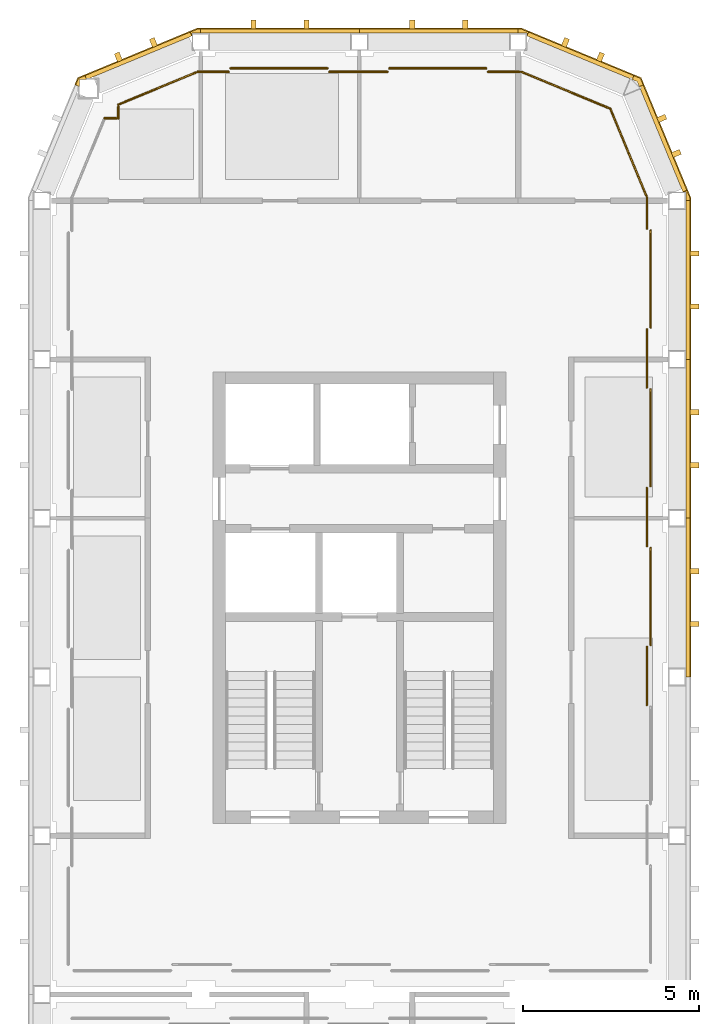
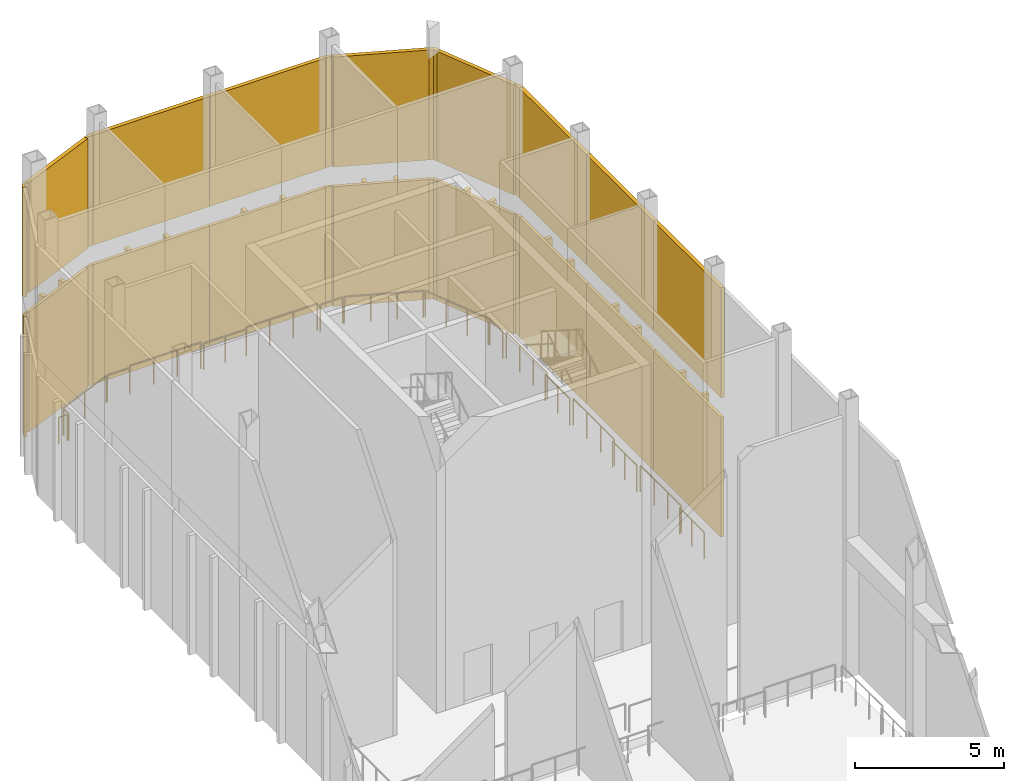
# One storey, part 7 of 8: 42 shading devices, 17 railings.
"""IFC4 building model written with IfcOpenShell, lengths in metres."""

from ifc_helpers import new_model, si_unit, direction, frame, origin, origin_2d, place, context, subcontext, project, spatial, polyline, rectangle, circle, outline, extrude, material, type_object, element, save


model = new_model("IFC4")

# Units and contexts
model_context = context("Model", 3, precision=1e-05, world=origin(), true_north=direction((0.0, 1.0)))
body_context = subcontext(model_context, "Body", "Model", "MODEL_VIEW")
ifc_project = project(units=[si_unit("LENGTHUNIT", "METRE"), si_unit("AREAUNIT", "SQUARE_METRE"), si_unit("VOLUMEUNIT", "CUBIC_METRE"), si_unit("PLANEANGLEUNIT", "RADIAN"), si_unit("MASSUNIT", "GRAM", prefix="KILO")], contexts=[model_context])

# Site, building, storey
site_placement = place(None, origin())
site = spatial("IfcSite", under=ifc_project, at=site_placement, CompositionType="ELEMENT")
building_placement = place(site_placement, origin())
building = spatial("IfcBuilding", under=site, at=building_placement, Name="Girih Gate Residences", CompositionType="ELEMENT")
storey_placement = place(building_placement, frame((0.0, 0.0, 235.695068359375)))
storey = spatial("IfcBuildingStorey", under=building, at=storey_placement, Name="L66", CompositionType="ELEMENT", Elevation=235.695068359375)

# Railings
ifc_material_1 = material(Name="Stainless steel railing", Category="steel")
railing_type = type_object("IfcRailingType", Name="Crown deck guard 1100", PredefinedType="GUARDRAIL", material=ifc_material_1)
railing_1_placement = place(storey_placement, frame((1.777587890625, 47.33203125, 0.0)))
element("IfcRailing", 1, at=railing_1_placement, inside=storey, type_object=railing_type, Name="Crown deck guard L66 2.1.12", PredefinedType="GUARDRAIL", context=body_context, shape_type="SweptSolid", body=[
    extrude(circle(Radius=0.02490234375, at=origin_2d()), frame((0.0, 0.0, 1.0751953125), z_axis=(1.0, 0.0, 0.0), x_axis=(0.0, 1.0, 0.0)), (0.0, 0.0, 1.0), 0.330322265625),
    extrude(circle(Radius=0.02490234375, at=origin_2d()), origin(), (0.0, 0.0, 1.0), 1.050048828125),
    extrude(circle(Radius=0.02490234375, at=origin_2d()), frame((0.330322265625, 0.0, 0.0)), (0.0, 0.0, 1.0), 1.050048828125),
])
railing_2_placement = place(storey_placement, frame((2.16796875, 47.33203125, 0.0)))
element("IfcRailing", 2, at=railing_2_placement, inside=storey, type_object=railing_type, Name="Crown deck guard L66 2.1.13", PredefinedType="GUARDRAIL", context=body_context, shape_type="SweptSolid", body=[
    extrude(circle(Radius=0.02490234375, at=origin_2d()), frame((0.0, 0.0, 1.0751953125), z_axis=(0.0, 1.0, 0.0), x_axis=(-1.0, 0.0, 0.0)), (0.0, 0.0, 1.0), 0.330322265625),
    extrude(circle(Radius=0.02490234375, at=origin_2d()), origin(), (0.0, 0.0, 1.0), 1.050048828125),
    extrude(circle(Radius=0.02490234375, at=origin_2d()), frame((0.0, 0.330322265625, 0.0)), (0.0, 0.0, 1.0), 1.050048828125),
])
railing_3_placement = place(storey_placement, frame((2.16796875, 47.722412109375, 0.0)))
element("IfcRailing", 3, at=railing_3_placement, inside=storey, type_object=railing_type, Name="Crown deck guard L66 2.1.14", PredefinedType="GUARDRAIL", context=body_context, shape_type="SweptSolid", body=[
    extrude(circle(Radius=0.02490234375, at=origin_2d()), frame((0.0, 0.0, 1.0751953125), z_axis=(0.923914897169, 0.382598043368, 0.0), x_axis=(-0.382598043368, 0.923914897169, 0.0)), (0.0, 0.0, 1.0), 2.3642578125),
    extrude(circle(Radius=0.02490234375, at=origin_2d()), origin(), (0.0, 0.0, 1.0), 1.050048828125),
    extrude(circle(Radius=0.02490234375, at=origin_2d()), frame((1.09228515625, 0.4521484375, 0.0)), (0.0, 0.0, 1.0), 1.050048828125),
    extrude(circle(Radius=0.02490234375, at=origin_2d()), frame((2.184326171875, 0.904541015625, 0.0)), (0.0, 0.0, 1.0), 1.050048828125),
])
railing_4_placement = place(storey_placement, frame((4.40771484375, 48.64990234375, 0.0)))
element("IfcRailing", 4, at=railing_4_placement, inside=storey, type_object=railing_type, Name="Crown deck guard L66 2.1.15", PredefinedType="GUARDRAIL", context=body_context, shape_type="SweptSolid", body=[
    extrude(circle(Radius=0.02490234375, at=origin_2d()), frame((0.0, 0.0, 1.0751953125), z_axis=(1.0, 0.0, 0.0), x_axis=(0.0, 1.0, 0.0)), (0.0, 0.0, 1.0), 0.88232421875),
    extrude(circle(Radius=0.02490234375, at=origin_2d()), origin(), (0.0, 0.0, 1.0), 1.050048828125),
    extrude(circle(Radius=0.02490234375, at=origin_2d()), frame((0.88232421875, 0.0, 0.0)), (0.0, 0.0, 1.0), 1.050048828125),
])
railing_5_placement = place(storey_placement, frame((5.35009765625, 48.75, 0.0)))
element("IfcRailing", 5, at=railing_5_placement, inside=storey, type_object=railing_type, Name="Crown deck guard L66 2.1.16", PredefinedType="GUARDRAIL", context=body_context, shape_type="SweptSolid", body=[
    extrude(circle(Radius=0.02490234375, at=origin_2d()), frame((0.0, 0.0, 1.0751953125), z_axis=(1.0, 0.0, 0.0), x_axis=(0.0, 1.0, 0.0)), (0.0, 0.0, 1.0), 2.739990234375),
    extrude(circle(Radius=0.02490234375, at=origin_2d()), origin(), (0.0, 0.0, 1.0), 1.050048828125),
    extrude(circle(Radius=0.02490234375, at=origin_2d()), frame((0.913330078125, 0.0, 0.0)), (0.0, 0.0, 1.0), 1.050048828125),
    extrude(circle(Radius=0.02490234375, at=origin_2d()), frame((1.82666015625, 0.0, 0.0)), (0.0, 0.0, 1.0), 1.050048828125),
    extrude(circle(Radius=0.02490234375, at=origin_2d()), frame((2.739990234375, 0.0, 0.0)), (0.0, 0.0, 1.0), 1.050048828125),
])
railing_6_placement = place(storey_placement, frame((8.14990234375, 48.64990234375, 0.0)))
element("IfcRailing", 6, at=railing_6_placement, inside=storey, type_object=railing_type, Name="Crown deck guard L66 2.1.17", PredefinedType="GUARDRAIL", context=body_context, shape_type="SweptSolid", body=[
    extrude(circle(Radius=0.02490234375, at=origin_2d()), frame((0.0, 0.0, 1.0751953125), z_axis=(1.0, 0.0, 0.0), x_axis=(0.0, 1.0, 0.0)), (0.0, 0.0, 1.0), 1.64013671875),
    extrude(circle(Radius=0.02490234375, at=origin_2d()), origin(), (0.0, 0.0, 1.0), 1.050048828125),
    extrude(circle(Radius=0.02490234375, at=origin_2d()), frame((0.820068359375, 0.0, 0.0)), (0.0, 0.0, 1.0), 1.050048828125),
    extrude(circle(Radius=0.02490234375, at=origin_2d()), frame((1.64013671875, 0.0, 0.0)), (0.0, 0.0, 1.0), 1.050048828125),
])
railing_7_placement = place(storey_placement, frame((9.85009765625, 48.75, 0.0)))
element("IfcRailing", 7, at=railing_7_placement, inside=storey, type_object=railing_type, Name="Crown deck guard L66 2.1.18", PredefinedType="GUARDRAIL", context=body_context, shape_type="SweptSolid", body=[
    extrude(circle(Radius=0.02490234375, at=origin_2d()), frame((0.0, 0.0, 1.0751953125), z_axis=(1.0, 0.0, 0.0), x_axis=(0.0, 1.0, 0.0)), (0.0, 0.0, 1.0), 2.739990234375),
    extrude(circle(Radius=0.02490234375, at=origin_2d()), origin(), (0.0, 0.0, 1.0), 1.050048828125),
    extrude(circle(Radius=0.02490234375, at=origin_2d()), frame((0.913330078125, 0.0, 0.0)), (0.0, 0.0, 1.0), 1.050048828125),
    extrude(circle(Radius=0.02490234375, at=origin_2d()), frame((1.82666015625, 0.0, 0.0)), (0.0, 0.0, 1.0), 1.050048828125),
    extrude(circle(Radius=0.02490234375, at=origin_2d()), frame((2.739990234375, 0.0, 0.0)), (0.0, 0.0, 1.0), 1.050048828125),
])
railing_8_placement = place(storey_placement, frame((12.64990234375, 48.64990234375, 0.0)))
element("IfcRailing", 8, at=railing_8_placement, inside=storey, type_object=railing_type, Name="Crown deck guard L66 2.1.19", PredefinedType="GUARDRAIL", context=body_context, shape_type="SweptSolid", body=[
    extrude(circle(Radius=0.02490234375, at=origin_2d()), frame((0.0, 0.0, 1.0751953125), z_axis=(1.0, 0.0, 0.0), x_axis=(0.0, 1.0, 0.0)), (0.0, 0.0, 1.0), 0.88232421875),
    extrude(circle(Radius=0.02490234375, at=origin_2d()), origin(), (0.0, 0.0, 1.0), 1.050048828125),
    extrude(circle(Radius=0.02490234375, at=origin_2d()), frame((0.88232421875, 0.0, 0.0)), (0.0, 0.0, 1.0), 1.050048828125),
])
railing_9_placement = place(storey_placement, frame((13.59228515625, 48.64990234375, 0.0)))
element("IfcRailing", 9, at=railing_9_placement, inside=storey, type_object=railing_type, Name="Crown deck guard L66 2.1.20", PredefinedType="GUARDRAIL", context=body_context, shape_type="SweptSolid", body=[
    extrude(circle(Radius=0.02490234375, at=origin_2d()), frame((0.0, 0.0, 1.0751953125), z_axis=(0.923880507149, -0.382681079373, 0.0), x_axis=(0.382681079373, 0.923880507149, 0.0)), (0.0, 0.0, 1.0), 2.662841796875),
    extrude(circle(Radius=0.02490234375, at=origin_2d()), origin(), (0.0, 0.0, 1.0), 1.050048828125),
    extrude(circle(Radius=0.02490234375, at=origin_2d()), frame((0.820068359375, -0.339599609375, 0.0)), (0.0, 0.0, 1.0), 1.050048828125),
    extrude(circle(Radius=0.02490234375, at=origin_2d()), frame((1.64013671875, -0.679443359375, 0.0)), (0.0, 0.0, 1.0), 1.050048828125),
    extrude(circle(Radius=0.02490234375, at=origin_2d()), frame((2.460205078125, -1.01904296875, 0.0)), (0.0, 0.0, 1.0), 1.050048828125),
])
railing_10_placement = place(storey_placement, frame((16.10791015625, 47.60791015625, 0.0)))
element("IfcRailing", 10, at=railing_10_placement, inside=storey, type_object=railing_type, Name="Crown deck guard L66 2.1.21", PredefinedType="GUARDRAIL", context=body_context, shape_type="SweptSolid", body=[
    extrude(circle(Radius=0.02490234375, at=origin_2d()), frame((0.0, 0.0, 1.0751953125), z_axis=(0.382681079373, -0.923880507149, 0.0), x_axis=(0.923880507149, 0.382681079373, 0.0)), (0.0, 0.0, 1.0), 2.662841796875),
    extrude(circle(Radius=0.02490234375, at=origin_2d()), origin(), (0.0, 0.0, 1.0), 1.050048828125),
    extrude(circle(Radius=0.02490234375, at=origin_2d()), frame((0.339599609375, -0.820068359375, 0.0)), (0.0, 0.0, 1.0), 1.050048828125),
    extrude(circle(Radius=0.02490234375, at=origin_2d()), frame((0.679443359375, -1.64013671875, 0.0)), (0.0, 0.0, 1.0), 1.050048828125),
    extrude(circle(Radius=0.02490234375, at=origin_2d()), frame((1.01904296875, -2.460205078125, 0.0)), (0.0, 0.0, 1.0), 1.050048828125),
])
railing_11_placement = place(storey_placement, frame((17.14990234375, 45.09228515625, 0.0)))
element("IfcRailing", 11, at=railing_11_placement, inside=storey, type_object=railing_type, Name="Crown deck guard L66 2.1.22", PredefinedType="GUARDRAIL", context=body_context, shape_type="SweptSolid", body=[
    extrude(circle(Radius=0.02490234375, at=origin_2d()), frame((0.0, 0.0, 1.0751953125), z_axis=(0.0, -1.0, 0.0), x_axis=(1.0, 0.0, 0.0)), (0.0, 0.0, 1.0), 0.88232421875),
    extrude(circle(Radius=0.02490234375, at=origin_2d()), origin(), (0.0, 0.0, 1.0), 1.050048828125),
    extrude(circle(Radius=0.02490234375, at=origin_2d()), frame((0.0, -0.88232421875, 0.0)), (0.0, 0.0, 1.0), 1.050048828125),
])
railing_12_placement = place(storey_placement, frame((17.25, 44.14990234375, 0.0)))
element("IfcRailing", 12, at=railing_12_placement, inside=storey, type_object=railing_type, Name="Crown deck guard L66 2.1.23", PredefinedType="GUARDRAIL", context=body_context, shape_type="SweptSolid", body=[
    extrude(circle(Radius=0.02490234375, at=origin_2d()), frame((0.0, 0.0, 1.0751953125), z_axis=(0.0, -1.0, 0.0), x_axis=(1.0, 0.0, 0.0)), (0.0, 0.0, 1.0), 2.739990234375),
    extrude(circle(Radius=0.02490234375, at=origin_2d()), origin(), (0.0, 0.0, 1.0), 1.050048828125),
    extrude(circle(Radius=0.02490234375, at=origin_2d()), frame((0.0, -0.913330078125, 0.0)), (0.0, 0.0, 1.0), 1.050048828125),
    extrude(circle(Radius=0.02490234375, at=origin_2d()), frame((0.0, -1.82666015625, 0.0)), (0.0, 0.0, 1.0), 1.050048828125),
    extrude(circle(Radius=0.02490234375, at=origin_2d()), frame((0.0, -2.739990234375, 0.0)), (0.0, 0.0, 1.0), 1.050048828125),
])
railing_13_placement = place(storey_placement, frame((17.14990234375, 41.35009765625, 0.0)))
element("IfcRailing", 13, at=railing_13_placement, inside=storey, type_object=railing_type, Name="Crown deck guard L66 2.1.24", PredefinedType="GUARDRAIL", context=body_context, shape_type="SweptSolid", body=[
    extrude(circle(Radius=0.02490234375, at=origin_2d()), frame((0.0, 0.0, 1.0751953125), z_axis=(0.0, -1.0, 0.0), x_axis=(1.0, 0.0, 0.0)), (0.0, 0.0, 1.0), 1.64013671875),
    extrude(circle(Radius=0.02490234375, at=origin_2d()), origin(), (0.0, 0.0, 1.0), 1.050048828125),
    extrude(circle(Radius=0.02490234375, at=origin_2d()), frame((0.0, -0.820068359375, 0.0)), (0.0, 0.0, 1.0), 1.050048828125),
    extrude(circle(Radius=0.02490234375, at=origin_2d()), frame((0.0, -1.64013671875, 0.0)), (0.0, 0.0, 1.0), 1.050048828125),
])
railing_14_placement = place(storey_placement, frame((17.25, 39.64990234375, 0.0)))
element("IfcRailing", 14, at=railing_14_placement, inside=storey, type_object=railing_type, Name="Crown deck guard L66 2.1.25", PredefinedType="GUARDRAIL", context=body_context, shape_type="SweptSolid", body=[
    extrude(circle(Radius=0.02490234375, at=origin_2d()), frame((0.0, 0.0, 1.0751953125), z_axis=(0.0, -1.0, 0.0), x_axis=(1.0, 0.0, 0.0)), (0.0, 0.0, 1.0), 2.739990234375),
    extrude(circle(Radius=0.02490234375, at=origin_2d()), origin(), (0.0, 0.0, 1.0), 1.050048828125),
    extrude(circle(Radius=0.02490234375, at=origin_2d()), frame((0.0, -0.913330078125, 0.0)), (0.0, 0.0, 1.0), 1.050048828125),
    extrude(circle(Radius=0.02490234375, at=origin_2d()), frame((0.0, -1.82666015625, 0.0)), (0.0, 0.0, 1.0), 1.050048828125),
    extrude(circle(Radius=0.02490234375, at=origin_2d()), frame((0.0, -2.739990234375, 0.0)), (0.0, 0.0, 1.0), 1.050048828125),
])
railing_15_placement = place(storey_placement, frame((17.14990234375, 36.85009765625, 0.0)))
element("IfcRailing", 15, at=railing_15_placement, inside=storey, type_object=railing_type, Name="Crown deck guard L66 2.1.26", PredefinedType="GUARDRAIL", context=body_context, shape_type="SweptSolid", body=[
    extrude(circle(Radius=0.02490234375, at=origin_2d()), frame((0.0, 0.0, 1.0751953125), z_axis=(0.0, -1.0, 0.0), x_axis=(1.0, 0.0, 0.0)), (0.0, 0.0, 1.0), 1.64013671875),
    extrude(circle(Radius=0.02490234375, at=origin_2d()), origin(), (0.0, 0.0, 1.0), 1.050048828125),
    extrude(circle(Radius=0.02490234375, at=origin_2d()), frame((0.0, -0.820068359375, 0.0)), (0.0, 0.0, 1.0), 1.050048828125),
    extrude(circle(Radius=0.02490234375, at=origin_2d()), frame((0.0, -1.64013671875, 0.0)), (0.0, 0.0, 1.0), 1.050048828125),
])
railing_16_placement = place(storey_placement, frame((17.25, 35.14990234375, 0.0)))
element("IfcRailing", 16, at=railing_16_placement, inside=storey, type_object=railing_type, Name="Crown deck guard L66 2.1.27", PredefinedType="GUARDRAIL", context=body_context, shape_type="SweptSolid", body=[
    extrude(circle(Radius=0.02490234375, at=origin_2d()), frame((0.0, 0.0, 1.0751953125), z_axis=(0.0, -1.0, 0.0), x_axis=(1.0, 0.0, 0.0)), (0.0, 0.0, 1.0), 2.739990234375),
    extrude(circle(Radius=0.02490234375, at=origin_2d()), origin(), (0.0, 0.0, 1.0), 1.050048828125),
    extrude(circle(Radius=0.02490234375, at=origin_2d()), frame((0.0, -0.913330078125, 0.0)), (0.0, 0.0, 1.0), 1.050048828125),
    extrude(circle(Radius=0.02490234375, at=origin_2d()), frame((0.0, -1.82666015625, 0.0)), (0.0, 0.0, 1.0), 1.050048828125),
    extrude(circle(Radius=0.02490234375, at=origin_2d()), frame((0.0, -2.739990234375, 0.0)), (0.0, 0.0, 1.0), 1.050048828125),
])
railing_17_placement = place(storey_placement, frame((17.14990234375, 32.35009765625, 0.0)))
element("IfcRailing", 17, at=railing_17_placement, inside=storey, type_object=railing_type, Name="Crown deck guard L66 2.1.28", PredefinedType="GUARDRAIL", context=body_context, shape_type="SweptSolid", body=[
    extrude(circle(Radius=0.02490234375, at=origin_2d()), frame((0.0, 0.0, 1.0751953125), z_axis=(0.0, -1.0, 0.0), x_axis=(1.0, 0.0, 0.0)), (0.0, 0.0, 1.0), 1.64013671875),
    extrude(circle(Radius=0.02490234375, at=origin_2d()), origin(), (0.0, 0.0, 1.0), 1.050048828125),
    extrude(circle(Radius=0.02490234375, at=origin_2d()), frame((0.0, -0.820068359375, 0.0)), (0.0, 0.0, 1.0), 1.050048828125),
    extrude(circle(Radius=0.02490234375, at=origin_2d()), frame((0.0, -1.64013671875, 0.0)), (0.0, 0.0, 1.0), 1.050048828125),
])

# Shading devices
ifc_material_2 = material(Name="Precast concrete C50/60", Category="concrete")
shading_device_type_1 = type_object("IfcShadingDeviceType", Name="Crown fluted rib 150x250", PredefinedType="USERDEFINED", material=ifc_material_2)
for number, where, z_axis, x_axis, name in (
    (18, (17.981689453125, 46.337646484375, 0.0), (0.0, 0.0, 1.0), (-0.382683432365, 0.923879532511, 0.0), "Crown rib 1.NE0180_0450.0.1"),
    (19, (17.570068359375, 47.33154296875, 0.0), (0.0, 0.0, 1.0), (-0.382683432365, 0.923879532511, 0.0), "Crown rib 1.NE0180_0450.0.2"),
    (20, (15.83154296875, 49.070068359375, 0.0), (0.0, 0.0, 1.0), (-0.923879532511, 0.382683432365, 0.0), "Crown rib 1.NE0167_0482.0.1"),
    (21, (14.837646484375, 49.481689453125, 0.0), (0.0, 0.0, 1.0), (-0.923879532511, 0.382683432365, 0.0), "Crown rib 1.NE0167_0482.0.2"),
    (22, (12.0, 49.9951171875, 0.0), (0.0, 0.0, 1.0), (-1.0, 0.0, 0.0), "Crown rib 1.N0135_0495.0.1"),
    (23, (10.5, 49.9951171875, 0.0), (0.0, 0.0, 1.0), (-1.0, 0.0, 0.0), "Crown rib 1.N0135_0495.0.2"),
    (24, (7.5, 49.9951171875, 0.0), (0.0, 0.0, 1.0), (-1.0, 0.0, 0.0), "Crown rib 1.N0135_0495.1.1"),
    (25, (6.0, 49.9951171875, 0.0), (0.0, 0.0, 1.0), (-1.0, 0.0, 0.0), "Crown rib 1.N0135_0495.1.2"),
    (26, (3.162353515625, 49.481689453125, 0.0), (0.0, 0.0, 1.0), (-0.923879532511, -0.382683432365, 0.0), "Crown rib 1.NW0045_0495.0.1"),
    (27, (2.16845703125, 49.070068359375, 0.0), (0.0, 0.0, 1.0), (-0.923879532511, -0.382683432365, 0.0), "Crown rib 1.NW0045_0495.0.2"),
    (28, (18.4951171875, 33.0, 0.0), (0.0, 0.0, 1.0), (0.0, 1.0, 0.0), "Crown rib 1.E0180_0045.6.1"),
    (29, (18.4951171875, 34.5, 0.0), (0.0, 0.0, 1.0), (0.0, 1.0, 0.0), "Crown rib 1.E0180_0045.6.2"),
    (30, (18.4951171875, 37.5, 0.0), (0.0, 0.0, 1.0), (0.0, 1.0, 0.0), "Crown rib 1.E0180_0045.7.1"),
    (31, (18.4951171875, 39.0, 0.0), (0.0, 0.0, 1.0), (0.0, 1.0, 0.0), "Crown rib 1.E0180_0045.7.2"),
    (32, (18.4951171875, 42.0, 0.0), (0.0, 0.0, 1.0), (0.0, 1.0, 0.0), "Crown rib 1.E0180_0045.8.1"),
    (33, (18.4951171875, 43.5, 0.0), (0.0, 0.0, 1.0), (0.0, 1.0, 0.0), "Crown rib 1.E0180_0045.8.2"),
):
    element("IfcShadingDevice", number, at=place(storey_placement, frame(where, z_axis=z_axis, x_axis=x_axis)), inside=storey, type_object=shading_device_type_1, Name=name, ObjectType="FIN", PredefinedType="USERDEFINED", context=body_context, shape_type="SweptSolid", body=[
        extrude(rectangle(XDim=0.14990234375, YDim=0.25, at=origin_2d()), origin(), (0.0, 0.0, 1.0), 4.89990234375),
    ])
ifc_material_3 = material(Name="Aluminium louvre", Category="aluminium")
shading_device_type_2 = type_object("IfcShadingDeviceType", Name="Crown louvre band 150", PredefinedType="USERDEFINED", material=ifc_material_3)
for number, where, z_axis, x_axis, name in (
    (34, (17.618896484375, 46.76953125, 5.699951171875), (0.0, 0.0, 1.0), (-0.382683432365, 0.923879532511, 0.0), "Crown louvre 2.NE0180_0450.0"),
    (35, (15.26953125, 49.118896484375, 5.699951171875), (0.0, 0.0, 1.0), (-0.923879532511, 0.382683432365, 0.0), "Crown louvre 2.NE0167_0482.0"),
):
    element("IfcShadingDevice", number, at=place(storey_placement, frame(where, z_axis=z_axis, x_axis=x_axis)), inside=storey, type_object=shading_device_type_2, Name=name, ObjectType="LOUVRE", PredefinedType="USERDEFINED", context=body_context, shape_type="SweptSolid", body=[
        extrude(rectangle(XDim=3.227294921875, YDim=0.14990234375, at=origin_2d()), origin(), (0.0, 0.0, 1.0), 4.5),
    ])
for number, where, z_axis, x_axis, name in (
    (36, (11.25, 49.824951171875, 5.699951171875), (0.0, 0.0, 1.0), (-1.0, 0.0, 0.0), "Crown louvre 2.N0135_0495.0"),
    (37, (6.75, 49.824951171875, 5.699951171875), (0.0, 0.0, 1.0), (-1.0, 0.0, 0.0), "Crown louvre 2.N0135_0495.1"),
):
    element("IfcShadingDevice", number, at=place(storey_placement, frame(where, z_axis=z_axis, x_axis=x_axis)), inside=storey, type_object=shading_device_type_2, Name=name, ObjectType="LOUVRE", PredefinedType="USERDEFINED", context=body_context, shape_type="SweptSolid", body=[
        extrude(rectangle(XDim=4.5, YDim=0.14990234375, at=origin_2d()), origin(), (0.0, 0.0, 1.0), 4.5),
    ])
shading_device_1_placement = place(storey_placement, frame((2.73046875, 49.118896484375, 5.699951171875), z_axis=(0.0, 0.0, 1.0), x_axis=(-0.923879532511, -0.382683432365, 0.0)))
element("IfcShadingDevice", 38, at=shading_device_1_placement, inside=storey, type_object=shading_device_type_2, Name="Crown louvre 2.NW0045_0495.0", ObjectType="LOUVRE", PredefinedType="USERDEFINED", context=body_context, shape_type="SweptSolid", body=[
    extrude(rectangle(XDim=3.227294921875, YDim=0.14990234375, at=origin_2d()), origin(), (0.0, 0.0, 1.0), 4.5),
])
for number, where, z_axis, x_axis, name in (
    (39, (18.324951171875, 33.75, 5.699951171875), (0.0, 0.0, 1.0), (0.0, 1.0, 0.0), "Crown louvre 2.E0180_0045.6"),
    (40, (18.324951171875, 38.25, 5.699951171875), (0.0, 0.0, 1.0), (0.0, 1.0, 0.0), "Crown louvre 2.E0180_0045.7"),
    (41, (18.324951171875, 42.75, 5.699951171875), (0.0, 0.0, 1.0), (0.0, 1.0, 0.0), "Crown louvre 2.E0180_0045.8"),
):
    element("IfcShadingDevice", number, at=place(storey_placement, frame(where, z_axis=z_axis, x_axis=x_axis)), inside=storey, type_object=shading_device_type_2, Name=name, ObjectType="LOUVRE", PredefinedType="USERDEFINED", context=body_context, shape_type="SweptSolid", body=[
        extrude(rectangle(XDim=4.5, YDim=0.14990234375, at=origin_2d()), origin(), (0.0, 0.0, 1.0), 4.5),
    ])
shading_device_2_placement = place(storey_placement, frame((0.0, 0.0, 5.699951171875)))
element("IfcShadingDevice", 42, at=shading_device_2_placement, inside=storey, type_object=shading_device_type_2, Name="Crown louvre corner 2.NE0180_0450.0", ObjectType="LOUVRE", PredefinedType="USERDEFINED", context=body_context, shape_type="SweptSolid", body=[
    extrude(outline(polyline([(16.988037109375, 48.488037109375), (17.070556640625, 48.2890625), (16.931884765625, 48.231689453125), (16.873291015625, 48.373291015625), (16.731689453125, 48.431884765625), (16.7890625, 48.570556640625), (16.988037109375, 48.488037109375)])), origin(), (0.0, 0.0, 1.0), 4.5),
])
shading_device_3_placement = place(storey_placement, frame((0.0, 0.0, 5.699951171875)))
element("IfcShadingDevice", 43, at=shading_device_3_placement, inside=storey, type_object=shading_device_type_2, Name="Crown louvre corner 2.NE0167_0482.0", ObjectType="LOUVRE", PredefinedType="USERDEFINED", context=body_context, shape_type="SweptSolid", body=[
    extrude(outline(polyline([(13.57958984375, 49.89990234375), (13.807373046875, 49.8056640625), (13.75, 49.6669921875), (13.75, 49.75), (13.5, 49.75), (13.5, 49.89990234375), (13.57958984375, 49.89990234375)])), origin(), (0.0, 0.0, 1.0), 4.5),
])
shading_device_4_placement = place(storey_placement, frame((0.0, 0.0, 5.699951171875)))
element("IfcShadingDevice", 44, at=shading_device_4_placement, inside=storey, type_object=shading_device_type_2, Name="Crown louvre corner 2.N0135_0495.1", ObjectType="LOUVRE", PredefinedType="USERDEFINED", context=body_context, shape_type="SweptSolid", body=[
    extrude(outline(polyline([(4.42041015625, 49.89990234375), (4.5, 49.89990234375), (4.5, 49.75), (4.25, 49.75), (4.25, 49.667236328125), (4.192626953125, 49.8056640625), (4.42041015625, 49.89990234375)])), origin(), (0.0, 0.0, 1.0), 4.5),
])
shading_device_5_placement = place(storey_placement, frame((0.0, 0.0, 5.699951171875)))
element("IfcShadingDevice", 45, at=shading_device_5_placement, inside=storey, type_object=shading_device_type_2, Name="Crown louvre corner 2.NW0045_0495.0", ObjectType="LOUVRE", PredefinedType="USERDEFINED", context=body_context, shape_type="SweptSolid", body=[
    extrude(outline(polyline([(1.011962890625, 48.488037109375), (1.2109375, 48.570556640625), (1.268310546875, 48.431884765625), (1.068115234375, 48.431884765625), (1.068115234375, 48.231689453125), (0.929443359375, 48.2890625), (1.011962890625, 48.488037109375)])), origin(), (0.0, 0.0, 1.0), 4.5),
])
shading_device_6_placement = place(storey_placement, frame((0.0, 0.0, 5.699951171875)))
element("IfcShadingDevice", 46, at=shading_device_6_placement, inside=storey, type_object=shading_device_type_2, Name="Crown louvre corner 2.E0180_0045.8", ObjectType="LOUVRE", PredefinedType="USERDEFINED", context=body_context, shape_type="SweptSolid", body=[
    extrude(outline(polyline([(18.39990234375, 45.07958984375), (18.39990234375, 45.0), (18.25, 45.0), (18.25, 45.25), (18.167236328125, 45.25), (18.3056640625, 45.307373046875), (18.39990234375, 45.07958984375)])), origin(), (0.0, 0.0, 1.0), 4.5),
])
ifc_material_4 = material(Name="Turquoise glazed tile panjara screen")
shading_device_type_3 = type_object("IfcShadingDeviceType", Name="Crown tile screen 120", PredefinedType="USERDEFINED", material=ifc_material_4)
for number, where, z_axis, x_axis, name in (
    (47, (17.60498046875, 46.763671875, 0.0), (0.0, 0.0, 1.0), (-0.382683432365, 0.923879532511, 0.0), "Crown screen 1.NE0180_0450.0"),
    (48, (15.263916015625, 49.10498046875, 0.0), (0.0, 0.0, 1.0), (-0.923879532511, 0.382683432365, 0.0), "Crown screen 1.NE0167_0482.0"),
):
    element("IfcShadingDevice", number, at=place(storey_placement, frame(where, z_axis=z_axis, x_axis=x_axis)), inside=storey, type_object=shading_device_type_3, Name=name, ObjectType="SCREEN", PredefinedType="USERDEFINED", context=body_context, shape_type="SweptSolid", body=[
        extrude(rectangle(XDim=3.227294921875, YDim=0.1201171875, at=origin_2d()), origin(), (0.0, 0.0, 1.0), 4.89990234375),
    ])
for number, where, z_axis, x_axis, name in (
    (49, (11.25, 49.81005859375, 0.0), (0.0, 0.0, 1.0), (-1.0, 0.0, 0.0), "Crown screen 1.N0135_0495.0"),
    (50, (6.75, 49.81005859375, 0.0), (0.0, 0.0, 1.0), (-1.0, 0.0, 0.0), "Crown screen 1.N0135_0495.1"),
):
    element("IfcShadingDevice", number, at=place(storey_placement, frame(where, z_axis=z_axis, x_axis=x_axis)), inside=storey, type_object=shading_device_type_3, Name=name, ObjectType="SCREEN", PredefinedType="USERDEFINED", context=body_context, shape_type="SweptSolid", body=[
        extrude(rectangle(XDim=4.5, YDim=0.1201171875, at=origin_2d()), origin(), (0.0, 0.0, 1.0), 4.89990234375),
    ])
shading_device_7_placement = place(storey_placement, frame((2.736328125, 49.10498046875, 0.0), z_axis=(0.0, 0.0, 1.0), x_axis=(-0.923879532511, -0.382683432365, 0.0)))
element("IfcShadingDevice", 51, at=shading_device_7_placement, inside=storey, type_object=shading_device_type_3, Name="Crown screen 1.NW0045_0495.0", ObjectType="SCREEN", PredefinedType="USERDEFINED", context=body_context, shape_type="SweptSolid", body=[
    extrude(rectangle(XDim=3.227294921875, YDim=0.1201171875, at=origin_2d()), origin(), (0.0, 0.0, 1.0), 4.89990234375),
])
for number, where, z_axis, x_axis, name in (
    (52, (18.31005859375, 33.75, 0.0), (0.0, 0.0, 1.0), (0.0, 1.0, 0.0), "Crown screen 1.E0180_0045.6"),
    (53, (18.31005859375, 38.25, 0.0), (0.0, 0.0, 1.0), (0.0, 1.0, 0.0), "Crown screen 1.E0180_0045.7"),
    (54, (18.31005859375, 42.75, 0.0), (0.0, 0.0, 1.0), (0.0, 1.0, 0.0), "Crown screen 1.E0180_0045.8"),
):
    element("IfcShadingDevice", number, at=place(storey_placement, frame(where, z_axis=z_axis, x_axis=x_axis)), inside=storey, type_object=shading_device_type_3, Name=name, ObjectType="SCREEN", PredefinedType="USERDEFINED", context=body_context, shape_type="SweptSolid", body=[
        extrude(rectangle(XDim=4.5, YDim=0.1201171875, at=origin_2d()), origin(), (0.0, 0.0, 1.0), 4.89990234375),
    ])
shading_device_8_placement = place(storey_placement, origin())
element("IfcShadingDevice", 55, at=shading_device_8_placement, inside=storey, type_object=shading_device_type_3, Name="Crown screen corner 1.NE0180_0450.0", ObjectType="SCREEN", PredefinedType="USERDEFINED", context=body_context, shape_type="SweptSolid", body=[
    extrude(outline(polyline([(16.965087890625, 48.465087890625), (17.04296875, 48.277587890625), (16.931884765625, 48.231689453125), (16.873291015625, 48.373291015625), (16.731689453125, 48.431884765625), (16.777587890625, 48.542724609375), (16.965087890625, 48.465087890625)])), origin(), (0.0, 0.0, 1.0), 4.89990234375),
])
shading_device_9_placement = place(storey_placement, origin())
element("IfcShadingDevice", 56, at=shading_device_9_placement, inside=storey, type_object=shading_device_type_3, Name="Crown screen corner 1.NE0167_0482.0", ObjectType="SCREEN", PredefinedType="USERDEFINED", context=body_context, shape_type="SweptSolid", body=[
    extrude(outline(polyline([(13.573486328125, 49.8701171875), (13.7958984375, 49.77783203125), (13.75, 49.6669921875), (13.75, 49.75), (13.5, 49.75), (13.5, 49.8701171875), (13.573486328125, 49.8701171875)])), origin(), (0.0, 0.0, 1.0), 4.89990234375),
])
shading_device_10_placement = place(storey_placement, origin())
element("IfcShadingDevice", 57, at=shading_device_10_placement, inside=storey, type_object=shading_device_type_3, Name="Crown screen corner 1.N0135_0495.1", ObjectType="SCREEN", PredefinedType="USERDEFINED", context=body_context, shape_type="SweptSolid", body=[
    extrude(outline(polyline([(4.426513671875, 49.8701171875), (4.5, 49.8701171875), (4.5, 49.75), (4.25, 49.75), (4.25, 49.667236328125), (4.2041015625, 49.77783203125), (4.426513671875, 49.8701171875)])), origin(), (0.0, 0.0, 1.0), 4.89990234375),
])
shading_device_11_placement = place(storey_placement, origin())
element("IfcShadingDevice", 58, at=shading_device_11_placement, inside=storey, type_object=shading_device_type_3, Name="Crown screen corner 1.NW0045_0495.0", ObjectType="SCREEN", PredefinedType="USERDEFINED", context=body_context, shape_type="SweptSolid", body=[
    extrude(outline(polyline([(1.034912109375, 48.465087890625), (1.222412109375, 48.54296875), (1.268310546875, 48.431884765625), (1.068115234375, 48.431884765625), (1.068115234375, 48.231689453125), (0.957275390625, 48.277587890625), (1.034912109375, 48.465087890625)])), origin(), (0.0, 0.0, 1.0), 4.89990234375),
])
shading_device_12_placement = place(storey_placement, origin())
element("IfcShadingDevice", 59, at=shading_device_12_placement, inside=storey, type_object=shading_device_type_3, Name="Crown screen corner 1.E0180_0045.8", ObjectType="SCREEN", PredefinedType="USERDEFINED", context=body_context, shape_type="SweptSolid", body=[
    extrude(outline(polyline([(18.3701171875, 45.073486328125), (18.3701171875, 45.0), (18.25, 45.0), (18.25, 45.25), (18.167236328125, 45.25), (18.27783203125, 45.2958984375), (18.3701171875, 45.073486328125)])), origin(), (0.0, 0.0, 1.0), 4.89990234375),
])

save(model, "model.ifc")
